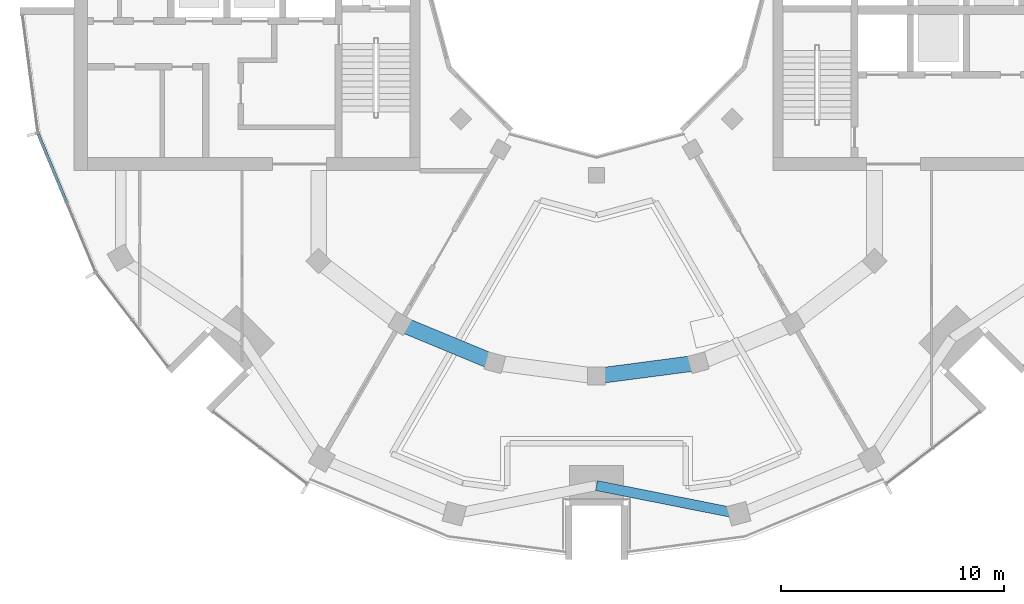
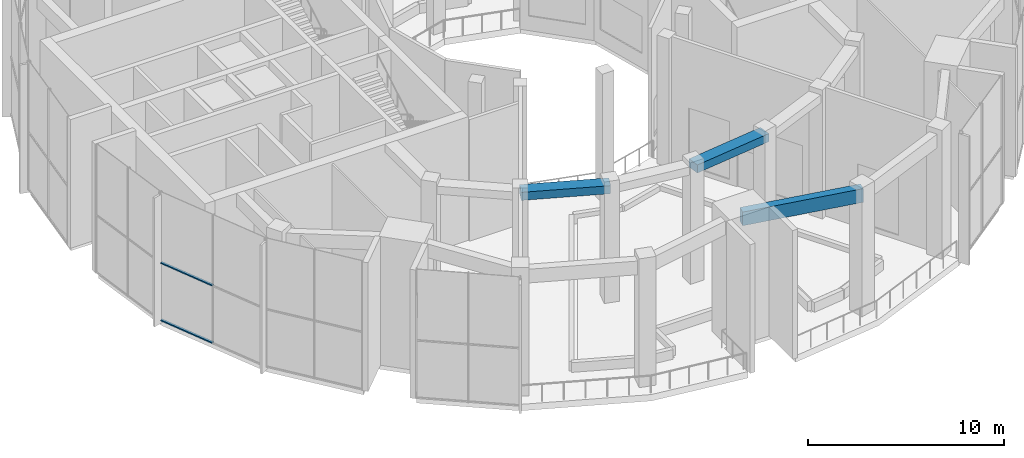
# One storey, part 3 of 18: 3 beams, 2 members, 1 element without a shape of its own.
"""IFC4 building model written with IfcOpenShell, lengths in metres."""

from ifc_helpers import new_model, si_unit, direction, frame, origin, origin_2d, place, context, subcontext, project, spatial, rectangle, extrude, material, layer, layer_set, material_profile, profile_set, type_object, element, aggregate, save


model = new_model("IFC4")

# Units and contexts
model_context = context("Model", 3, precision=1e-05, world=origin(), true_north=direction((0.0, 1.0)))
body_context = subcontext(model_context, "Body", "Model", "MODEL_VIEW")
ifc_project = project(units=[si_unit("LENGTHUNIT", "METRE"), si_unit("AREAUNIT", "SQUARE_METRE"), si_unit("VOLUMEUNIT", "CUBIC_METRE"), si_unit("PLANEANGLEUNIT", "RADIAN"), si_unit("MASSUNIT", "GRAM", prefix="KILO")], contexts=[model_context])

# Site, building, storey
site_placement = place(None, origin())
site = spatial("IfcSite", under=ifc_project, at=site_placement, CompositionType="ELEMENT")
building_placement = place(site_placement, origin())
building = spatial("IfcBuilding", under=site, at=building_placement, Name="Torre Brocal", CompositionType="ELEMENT")
storey_placement = place(building_placement, frame((0.0, 0.0, 229.300048828125)))
storey = spatial("IfcBuildingStorey", under=building, at=storey_placement, Name="L53", CompositionType="ELEMENT", Elevation=229.300048828125)

# Curtain wall, members
ifc_material_1 = material(Name="Aluminium and glass", Category="aluminium")
ifc_layer = layer(ifc_material_1, 0.199951171875)
ifc_layer_set = layer_set([ifc_layer], Name="Aluminium and glass")
curtain_wall_type = type_object("IfcCurtainWallType", Name="CW-4 CURTAIN WALL 8000 HIGH", PredefinedType="NOTDEFINED", material=ifc_layer_set)
curtain_wall_placement = place(storey_placement, origin())
curtain_wall = element("IfcCurtainWall", 1, at=curtain_wall_placement, inside=storey, type_object=curtain_wall_type, Name="CW-4 RUN 14", PredefinedType="NOTDEFINED")
ifc_material_2 = material(Name="Aluminium, dark anodised", Category="aluminium")
ifc_material_profile_1 = material_profile(ifc_material_2, rectangle(XDim=0.139892578125, YDim=0.070068359375, at=origin_2d()), Name="CW-4 TRANSOM 140X70")
ifc_profile_set_1 = profile_set([ifc_material_profile_1], Name="Aluminium, dark anodised")
member_type = type_object("IfcMemberType", Name="CW-4 TRANSOM 140X70", PredefinedType="USERDEFINED", material=ifc_profile_set_1)
member_1_placement = place(storey_placement, frame((55.00244140625, 68.250732421875, 0.034912109375), z_axis=(0.382658376168, -0.92388991073, 0.0), x_axis=(0.92388991073, 0.382658376168, 0.0)))
member_1 = element("IfcMember", 2, at=member_1_placement, type_object=member_type, Name="CW4-1 transom 1.1", ObjectType="TRANSOM", PredefinedType="USERDEFINED", context=body_context, shape_type="SweptSolid", body=[
    extrude(rectangle(XDim=0.139892578125, YDim=0.070068359375, at=origin_2d()), origin(), (0.0, 0.0, 1.0), 3.305419921875),
])
member_2_placement = place(storey_placement, frame((55.00244140625, 68.250732421875, 3.599853515625), z_axis=(0.382658376168, -0.92388991073, 0.0), x_axis=(0.92388991073, 0.382658376168, 0.0)))
member_2 = element("IfcMember", 3, at=member_2_placement, type_object=member_type, Name="CW4-1 transom 1.2", ObjectType="TRANSOM", PredefinedType="USERDEFINED", context=body_context, shape_type="SweptSolid", body=[
    extrude(rectangle(XDim=0.139892578125, YDim=0.070068359375, at=origin_2d()), origin(), (0.0, 0.0, 1.0), 3.305419921875),
])
aggregate(curtain_wall, [member_1, member_2])

# Beams
ifc_material_3 = material(Name="Concrete C50", Category="concrete")
ifc_material_profile_2 = material_profile(ifc_material_3, rectangle(XDim=0.699951171875, YDim=0.5, at=origin_2d()), Name="RC 700X500")
ifc_profile_set_2 = profile_set([ifc_material_profile_2], Name="Concrete C50")
beam_type_1 = type_object("IfcBeamType", Name="RC BEAM 700X500 C50 TOP 7680", PredefinedType="BEAM", material=ifc_profile_set_2)
beam_1_placement = place(storey_placement, frame((71.199951171875, 59.758056640625, 7.429931640625), z_axis=(0.923878240166, -0.382686552348, 0.0), x_axis=(0.382686552348, 0.923878240166, 0.0)))
element("IfcBeam", 4, at=beam_1_placement, inside=storey, type_object=beam_type_1, Name="Beam BT-41", PredefinedType="BEAM", context=body_context, shape_type="SweptSolid", body=[
    extrude(rectangle(XDim=0.699951171875, YDim=0.5, at=origin_2d()), origin(), (0.0, 0.0, 1.0), 4.5947265625),
])
beam_2_placement = place(storey_placement, frame((80.0, 57.39990234375, 7.429931640625), z_axis=(0.991440544449, 0.130558978332, 0.0), x_axis=(-0.130558978332, 0.991440544449, 0.0)))
element("IfcBeam", 5, at=beam_2_placement, inside=storey, type_object=beam_type_1, Name="Beam BT-41", PredefinedType="BEAM", context=body_context, shape_type="SweptSolid", body=[
    extrude(rectangle(XDim=0.699951171875, YDim=0.5, at=origin_2d()), origin(), (0.0, 0.0, 1.0), 4.594482421875),
])
ifc_material_4 = material(Name="Concrete C50", Category="concrete")
ifc_material_profile_3 = material_profile(ifc_material_4, rectangle(XDim=0.449951171875, YDim=0.85009765625, at=origin_2d()), Name="RC 450X850")
ifc_profile_set_3 = profile_set([ifc_material_profile_3], Name="Concrete C50")
beam_type_2 = type_object("IfcBeamType", Name="RC SPANDREL BEAM 450X850 C50 TOP 7680", PredefinedType="SPANDREL", material=ifc_profile_set_3)
beam_3_placement = place(storey_placement, frame((80.0, 52.5, 7.2548828125), z_axis=(0.980924907484, -0.194387051723, 0.0), x_axis=(0.194387051723, 0.980924907484, 0.0)))
element("IfcBeam", 6, at=beam_3_placement, inside=storey, type_object=beam_type_2, Name="Beam BT-42", PredefinedType="SPANDREL", context=body_context, shape_type="SweptSolid", body=[
    extrude(rectangle(XDim=0.449951171875, YDim=0.85009765625, at=origin_2d()), origin(), (0.0, 0.0, 1.0), 6.49072265625),
])

save(model, "model.ifc")
